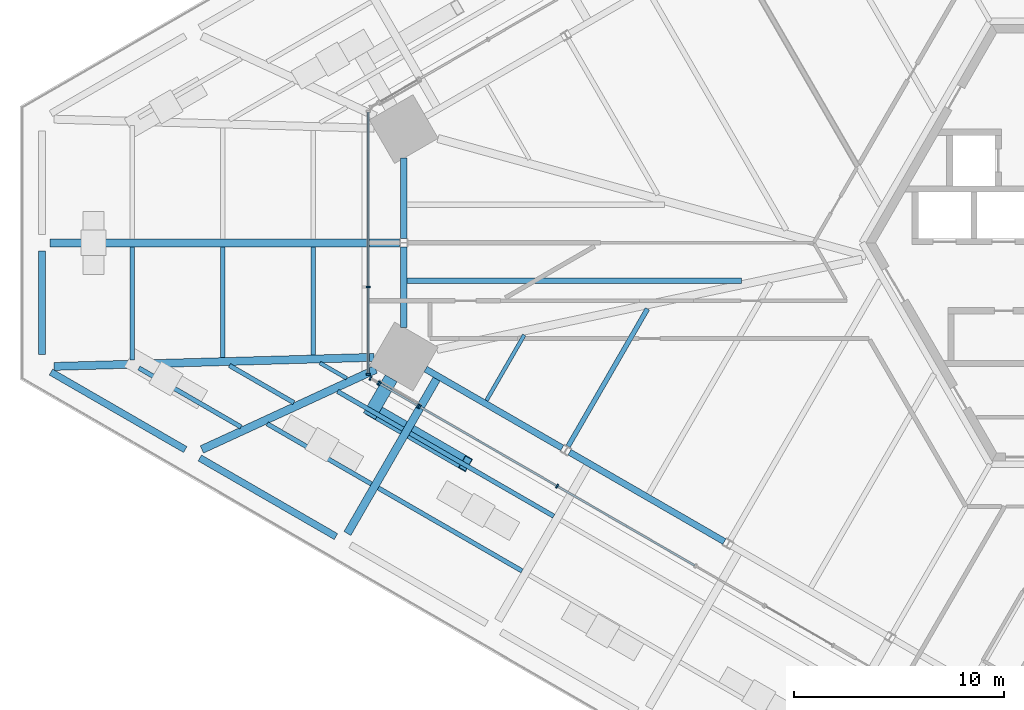
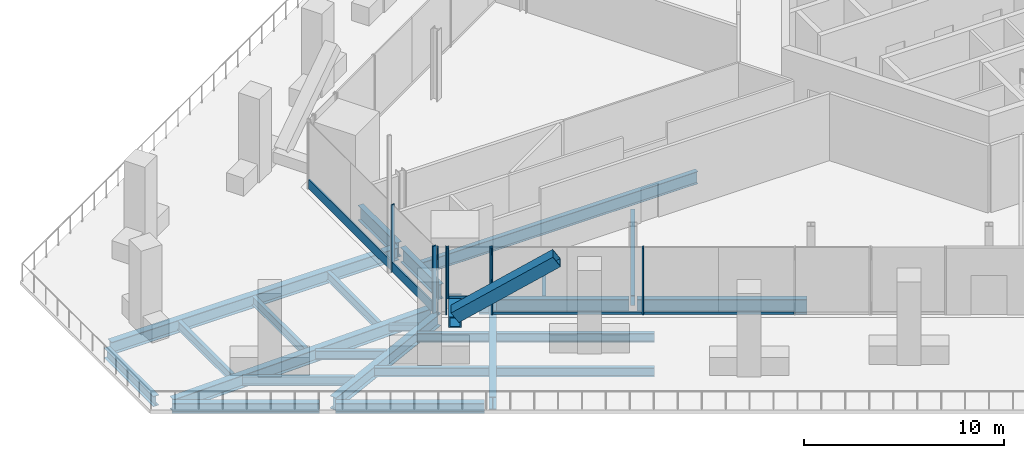
# One storey, part 5 of 38: 24 beams, 15 members, 4 elements without a shape of their own.
"""IFC4 building model written with IfcOpenShell, lengths in metres."""

from ifc_helpers import new_model, si_unit, direction, frame, origin, origin_2d, place, context, subcontext, project, spatial, rectangle, hollow_rectangle, i_section, extrude, source, transform, mapped, material, material_profile, profile_set, type_object, element, aggregate, save


model = new_model("IFC4")

# Units and contexts
model_context = context("Model", 3, precision=1e-05, world=origin(), true_north=direction((0.0, 1.0)))
body_context = subcontext(model_context, "Body", "Model", "MODEL_VIEW")
ifc_project = project(units=[si_unit("LENGTHUNIT", "METRE"), si_unit("AREAUNIT", "SQUARE_METRE"), si_unit("VOLUMEUNIT", "CUBIC_METRE"), si_unit("PLANEANGLEUNIT", "RADIAN"), si_unit("MASSUNIT", "GRAM", prefix="KILO")], contexts=[model_context])

# Site, building, storey
site_placement = place(None, origin())
site = spatial("IfcSite", under=ifc_project, at=site_placement, CompositionType="ELEMENT")
building_placement = place(site_placement, origin())
building = spatial("IfcBuilding", under=site, at=building_placement, Name="Triune Harvest Tower", CompositionType="ELEMENT")
storey_placement = place(building_placement, frame((0.0, 0.0, 16.0)))
storey = spatial("IfcBuildingStorey", under=building, at=storey_placement, Name="L03", CompositionType="ELEMENT", Elevation=16.0)

# Beams
ifc_material_1 = material(Name="Steel ASTM A992 Gr 50", Category="steel")
ifc_material_profile_1 = material_profile(ifc_material_1, i_section(OverallWidth=0.22900390625, OverallDepth=0.612060546875, WebThickness=0.011962890625, FlangeThickness=0.01953125, at=origin_2d()), Name="W24x84")
ifc_profile_set_1 = profile_set([ifc_material_profile_1], Name="Steel ASTM A992 Gr 50")
beam_type_1 = type_object("IfcBeamType", Name="JT-3 Floor joist W24x84", PredefinedType="JOIST", material=ifc_profile_set_1)
shared_shape_1 = source(origin(), body_context, "Body", "SweptSolid", [
    extrude(i_section(OverallWidth=0.22900390625, OverallDepth=0.612060546875, WebThickness=0.011962890625, FlangeThickness=0.01953125, at=origin_2d()), origin(), (0.0, 0.0, 1.0), 7.558349609375),
])
beam_1_placement = place(storey_placement, frame((-26.170654296875, -9.68896484375, -0.506103515625), z_axis=(0.499991809969, 0.866030132249, 0.0), x_axis=(-0.866030132249, 0.499991809969, 0.0)))
element("IfcBeam", 1, at=beam_1_placement, inside=storey, type_object=beam_type_1, Name="beam/L03/JT28", PredefinedType="JOIST", context=body_context, shape_type="MappedRepresentation", body=[
    mapped(shared_shape_1, transform((0.0, 0.0, 0.0), scale=1.0)),
])
ifc_material_2 = material(Name="Steel ASTM A992 Gr 50", Category="steel")
ifc_material_profile_2 = material_profile(ifc_material_2, i_section(OverallWidth=0.32763671875, OverallDepth=0.62744140625, WebThickness=0.0166015625, FlangeThickness=0.027587890625, at=origin_2d()), Name="W24x146")
ifc_profile_set_2 = profile_set([ifc_material_profile_2], Name="Steel ASTM A992 Gr 50")
beam_type_2 = type_object("IfcBeamType", Name="PD-4 Podium edge beam W24x146", PredefinedType="BEAM", material=ifc_profile_set_2)
shared_shape_2 = source(origin(), body_context, "Body", "SweptSolid", [
    extrude(i_section(OverallWidth=0.32763671875, OverallDepth=0.62744140625, WebThickness=0.0166015625, FlangeThickness=0.027587890625, at=origin_2d()), origin(), (0.0, 0.0, 1.0), 7.47998046875),
])
beam_2_placement = place(storey_placement, frame((-43.69384765625, -10.239990234375, -0.513671875), z_axis=(0.866023067432, -0.500004046659, 0.0), x_axis=(0.500004046659, 0.866023067432, 0.0)))
element("IfcBeam", 2, at=beam_2_placement, inside=storey, type_object=beam_type_2, Name="beam/L03/PE27", PredefinedType="BEAM", context=body_context, shape_type="MappedRepresentation", body=[
    mapped(shared_shape_2, transform((0.0, 0.0, 0.0), scale=1.0)),
])
shared_shape_3 = source(origin(), body_context, "Body", "SweptSolid", [
    extrude(i_section(OverallWidth=0.32763671875, OverallDepth=0.62744140625, WebThickness=0.0166015625, FlangeThickness=0.027587890625, at=origin_2d()), origin(), (0.0, 0.0, 1.0), 4.922607421875),
])
beam_3_placement = place(storey_placement, frame((-51.2109375, -0.39990234375, -0.513671875), z_axis=(0.0, -1.0, 0.0), x_axis=(1.0, 0.0, 0.0)))
element("IfcBeam", 3, at=beam_3_placement, inside=storey, type_object=beam_type_2, Name="beam/L03/PE25", PredefinedType="BEAM", context=body_context, shape_type="MappedRepresentation", body=[
    mapped(shared_shape_3, transform((0.0, 0.0, 0.0), scale=1.0)),
])
shared_shape_4 = source(origin(), body_context, "Body", "SweptSolid", [
    extrude(i_section(OverallWidth=0.32763671875, OverallDepth=0.62744140625, WebThickness=0.0166015625, FlangeThickness=0.027587890625, at=origin_2d()), origin(), (0.0, 0.0, 1.0), 7.380126953125),
])
beam_4_placement = place(storey_placement, frame((-50.778076171875, -6.14990234375, -0.513671875), z_axis=(0.866017563931, -0.500013578778, 0.0), x_axis=(0.500013578778, 0.866017563931, 0.0)))
element("IfcBeam", 4, at=beam_4_placement, inside=storey, type_object=beam_type_2, Name="beam/L03/PE26", PredefinedType="BEAM", context=body_context, shape_type="MappedRepresentation", body=[
    mapped(shared_shape_4, transform((0.0, 0.0, 0.0), scale=1.0)),
])
ifc_material_3 = material(Name="Steel ASTM A992 Gr 50", Category="steel")
ifc_material_profile_3 = material_profile(ifc_material_3, i_section(OverallWidth=0.381103515625, OverallDepth=0.772216796875, WebThickness=0.0166015625, FlangeThickness=0.027099609375, at=origin_2d()), Name="W30x173")
ifc_profile_set_3 = profile_set([ifc_material_profile_3], Name="Steel ASTM A992 Gr 50")
beam_type_3 = type_object("IfcBeamType", Name="PD-3 Podium girder W30x173", PredefinedType="BEAM", material=ifc_profile_set_3)
shared_shape_5 = source(origin(), body_context, "Body", "SweptSolid", [
    extrude(i_section(OverallWidth=0.381103515625, OverallDepth=0.772216796875, WebThickness=0.0166015625, FlangeThickness=0.027099609375, at=origin_2d()), origin(), (0.0, 0.0, 1.0), 15.232666015625),
])
beam_5_placement = place(storey_placement, frame((-50.6240234375, -5.88330078125, -0.586181640625), z_axis=(0.999595712635, 0.028432574304, 0.0), x_axis=(-0.028432574304, 0.999595712635, 0.0)))
element("IfcBeam", 5, at=beam_5_placement, inside=storey, type_object=beam_type_3, Name="beam/L03/PR28", PredefinedType="BEAM", context=body_context, shape_type="MappedRepresentation", body=[
    mapped(shared_shape_5, transform((0.0, 0.0, 0.0), scale=1.0)),
])
shared_shape_6 = source(origin(), body_context, "Body", "SweptSolid", [
    extrude(i_section(OverallWidth=0.381103515625, OverallDepth=0.772216796875, WebThickness=0.0166015625, FlangeThickness=0.027099609375, at=origin_2d()), origin(), (0.0, 0.0, 1.0), 9.10693359375),
])
beam_6_placement = place(storey_placement, frame((-43.59521484375, -9.8349609375, -0.586181640625), z_axis=(0.908279245406, 0.418364449213, 0.0), x_axis=(-0.418364449213, 0.908279245406, 0.0)))
element("IfcBeam", 6, at=beam_6_placement, inside=storey, type_object=beam_type_3, Name="beam/L03/PR29", PredefinedType="BEAM", context=body_context, shape_type="MappedRepresentation", body=[
    mapped(shared_shape_6, transform((0.0, 0.0, 0.0), scale=1.0)),
])
shared_shape_7 = source(origin(), body_context, "Body", "SweptSolid", [
    extrude(i_section(OverallWidth=0.381103515625, OverallDepth=0.772216796875, WebThickness=0.0166015625, FlangeThickness=0.027099609375, at=origin_2d()), origin(), (0.0, 0.0, 1.0), 16.619140625),
])
beam_7_placement = place(storey_placement, frame((-50.81103515625, 0.0, -0.586181640625), z_axis=(1.0, 0.0, 0.0), x_axis=(0.0, 1.0, 0.0)))
element("IfcBeam", 7, at=beam_7_placement, inside=storey, type_object=beam_type_3, Name="beam/L03/PR27", PredefinedType="BEAM", context=body_context, shape_type="MappedRepresentation", body=[
    mapped(shared_shape_7, transform((0.0, 0.0, 0.0), scale=1.0)),
])
ifc_material_4 = material(Name="Steel ASTM A992 Gr 50", Category="steel")
ifc_material_profile_4 = material_profile(ifc_material_4, i_section(OverallWidth=0.2138671875, OverallDepth=0.548583984375, WebThickness=0.0146484375, FlangeThickness=0.023681640625, at=origin_2d()), Name="W21x93")
ifc_profile_set_4 = profile_set([ifc_material_profile_4], Name="Steel ASTM A992 Gr 50")
beam_type_4 = type_object("IfcBeamType", Name="PD-5 Podium joist W21x93", PredefinedType="JOIST", material=ifc_profile_set_4)
shared_shape_8 = source(origin(), body_context, "Body", "SweptSolid", [
    extrude(i_section(OverallWidth=0.2138671875, OverallDepth=0.548583984375, WebThickness=0.0146484375, FlangeThickness=0.023681640625, at=origin_2d()), origin(), (0.0, 0.0, 1.0), 5.613525390625),
])
beam_8_placement = place(storey_placement, frame((-46.5908203125, -5.958984375, -0.474365234375), z_axis=(0.866010310244, -0.500026141868, 0.0), x_axis=(0.500026141868, 0.866010310244, 0.0)))
element("IfcBeam", 8, at=beam_8_placement, inside=storey, type_object=beam_type_4, Name="beam/L03/PJ56", PredefinedType="JOIST", context=body_context, shape_type="MappedRepresentation", body=[
    mapped(shared_shape_8, transform((0.0, 0.0, 0.0), scale=1.0)),
])
shared_shape_9 = source(origin(), body_context, "Body", "SweptSolid", [
    extrude(i_section(OverallWidth=0.2138671875, OverallDepth=0.548583984375, WebThickness=0.0146484375, FlangeThickness=0.023681640625, at=origin_2d()), origin(), (0.0, 0.0, 1.0), 3.59619140625),
])
beam_9_placement = place(storey_placement, frame((-37.13720703125, -7.070068359375, -0.474365234375), z_axis=(0.866032969717, -0.499986895192, 0.0), x_axis=(0.499986895192, 0.866032969717, 0.0)))
element("IfcBeam", 9, at=beam_9_placement, inside=storey, type_object=beam_type_4, Name="beam/L03/PJ60", PredefinedType="JOIST", context=body_context, shape_type="MappedRepresentation", body=[
    mapped(shared_shape_9, transform((0.0, 0.0, 0.0), scale=1.0)),
])
shared_shape_10 = source(origin(), body_context, "Body", "SweptSolid", [
    extrude(i_section(OverallWidth=0.2138671875, OverallDepth=0.548583984375, WebThickness=0.0146484375, FlangeThickness=0.023681640625, at=origin_2d()), origin(), (0.0, 0.0, 1.0), 7.899169921875),
])
for number, where, z_axis, x_axis, name in (
    (10, (-35.19873046875, -11.6669921875, -0.474365234375), (0.866030148722, -0.499991781437, 0.0), (0.499991781437, 0.866030148722, 0.0), "beam/L03/PJ61"),
    (11, (-33.69287109375, -9.05859375, -0.474365234375), (0.866030148722, -0.499991781437, 0.0), (0.499991781437, 0.866030148722, 0.0), "beam/L03/PJ62"),
):
    element("IfcBeam", number, at=place(storey_placement, frame(where, z_axis=z_axis, x_axis=x_axis)), inside=storey, type_object=beam_type_4, Name=name, PredefinedType="JOIST", context=body_context, shape_type="MappedRepresentation", body=[
        mapped(shared_shape_10, transform((0.0, 0.0, 0.0), scale=1.0)),
    ])
shared_shape_11 = source(origin(), body_context, "Body", "SweptSolid", [
    extrude(i_section(OverallWidth=0.2138671875, OverallDepth=0.548583984375, WebThickness=0.0146484375, FlangeThickness=0.023681640625, at=origin_2d()), origin(), (0.0, 0.0, 1.0), 5.27392578125),
])
beam_10_placement = place(storey_placement, frame((-42.599853515625, -0.1904296875, -0.474365234375), z_axis=(0.0, -1.0, 0.0), x_axis=(1.0, 0.0, 0.0)))
element("IfcBeam", 12, at=beam_10_placement, inside=storey, type_object=beam_type_4, Name="beam/L03/PJ54", PredefinedType="JOIST", context=body_context, shape_type="MappedRepresentation", body=[
    mapped(shared_shape_11, transform((0.0, 0.0, 0.0), scale=1.0)),
])
shared_shape_12 = source(origin(), body_context, "Body", "SweptSolid", [
    extrude(i_section(OverallWidth=0.2138671875, OverallDepth=0.548583984375, WebThickness=0.0146484375, FlangeThickness=0.023681640625, at=origin_2d()), origin(), (0.0, 0.0, 1.0), 5.1513671875),
])
beam_11_placement = place(storey_placement, frame((-38.294189453125, -0.1904296875, -0.474365234375), z_axis=(0.0, -1.0, 0.0), x_axis=(1.0, 0.0, 0.0)))
element("IfcBeam", 13, at=beam_11_placement, inside=storey, type_object=beam_type_4, Name="beam/L03/PJ55", PredefinedType="JOIST", context=body_context, shape_type="MappedRepresentation", body=[
    mapped(shared_shape_12, transform((0.0, 0.0, 0.0), scale=1.0)),
])
shared_shape_13 = source(origin(), body_context, "Body", "SweptSolid", [
    extrude(i_section(OverallWidth=0.2138671875, OverallDepth=0.548583984375, WebThickness=0.0146484375, FlangeThickness=0.023681640625, at=origin_2d()), origin(), (0.0, 0.0, 1.0), 3.54345703125),
])
beam_12_placement = place(storey_placement, frame((-42.28515625, -5.836669921875, -0.474365234375), z_axis=(0.866016916595, -0.500014699955, 0.0), x_axis=(0.500014699955, 0.866016916595, 0.0)))
element("IfcBeam", 14, at=beam_12_placement, inside=storey, type_object=beam_type_4, Name="beam/L03/PJ57", PredefinedType="JOIST", context=body_context, shape_type="MappedRepresentation", body=[
    mapped(shared_shape_13, transform((0.0, 0.0, 0.0), scale=1.0)),
])
shared_shape_14 = source(origin(), body_context, "Body", "SweptSolid", [
    extrude(i_section(OverallWidth=0.2138671875, OverallDepth=0.548583984375, WebThickness=0.0146484375, FlangeThickness=0.023681640625, at=origin_2d()), origin(), (0.0, 0.0, 1.0), 5.726318359375),
])
beam_13_placement = place(storey_placement, frame((-40.48779296875, -8.61328125, -0.474365234375), z_axis=(0.866038622153, -0.499977104415, 0.0), x_axis=(0.499977104415, 0.866038622153, 0.0)))
element("IfcBeam", 15, at=beam_13_placement, inside=storey, type_object=beam_type_4, Name="beam/L03/PJ59", PredefinedType="JOIST", context=body_context, shape_type="MappedRepresentation", body=[
    mapped(shared_shape_14, transform((0.0, 0.0, 0.0), scale=1.0)),
])
ifc_material_5 = material(Name="Steel ASTM A992 Gr 50", Category="steel")
ifc_material_profile_5 = material_profile(ifc_material_5, i_section(OverallWidth=0.180908203125, OverallDepth=0.41650390625, WebThickness=0.010986328125, FlangeThickness=0.01806640625, at=origin_2d()), Name="W16x57")
ifc_profile_set_5 = profile_set([ifc_material_profile_5], Name="Steel ASTM A992 Gr 50")
beam_type_5 = type_object("IfcBeamType", Name="PD-6 Podium short joist W16x57", PredefinedType="JOIST", material=ifc_profile_set_5)
shared_shape_15 = source(origin(), body_context, "Body", "SweptSolid", [
    extrude(i_section(OverallWidth=0.180908203125, OverallDepth=0.41650390625, WebThickness=0.010986328125, FlangeThickness=0.01806640625, at=origin_2d()), origin(), (0.0, 0.0, 1.0), 1.47314453125),
])
beam_14_placement = place(storey_placement, frame((-37.9794921875, -5.714111328125, -0.408203125), z_axis=(0.86604208752, -0.499971101808, 0.0), x_axis=(0.499971101808, 0.86604208752, 0.0)))
element("IfcBeam", 16, at=beam_14_placement, inside=storey, type_object=beam_type_5, Name="beam/L03/PJ58", PredefinedType="JOIST", context=body_context, shape_type="MappedRepresentation", body=[
    mapped(shared_shape_15, transform((0.0, 0.0, 0.0), scale=1.0)),
])
shared_shape_16 = source(origin(), body_context, "Body", "SweptSolid", [
    extrude(i_section(OverallWidth=0.2138671875, OverallDepth=0.548583984375, WebThickness=0.0146484375, FlangeThickness=0.023681640625, at=origin_2d()), origin(), (0.0, 0.0, 1.0), 5.396484375),
])
beam_15_placement = place(storey_placement, frame((-46.905517578125, -0.1904296875, -0.474365234375), z_axis=(0.0, -1.0, 0.0), x_axis=(1.0, 0.0, 0.0)))
element("IfcBeam", 17, at=beam_15_placement, inside=storey, type_object=beam_type_4, Name="beam/L03/PJ53", PredefinedType="JOIST", context=body_context, shape_type="MappedRepresentation", body=[
    mapped(shared_shape_16, transform((0.0, 0.0, 0.0), scale=1.0)),
])
ifc_material_6 = material(Name="Steel ASTM A992 Gr 50", Category="steel")
ifc_material_profile_6 = material_profile(ifc_material_6, i_section(OverallWidth=0.3046875, OverallDepth=0.914306640625, WebThickness=0.0166015625, FlangeThickness=0.02587890625, at=origin_2d()), Name="W36x160")
ifc_profile_set_6 = profile_set([ifc_material_profile_6], Name="Steel ASTM A992 Gr 50")
beam_type_6 = type_object("IfcBeamType", Name="SB-1 Spandrel beam W36x160", PredefinedType="SPANDREL", material=ifc_profile_set_6)
shared_shape_17 = source(origin(), body_context, "Body", "SweptSolid", [
    extrude(i_section(OverallWidth=0.3046875, OverallDepth=0.914306640625, WebThickness=0.0166015625, FlangeThickness=0.02587890625, at=origin_2d()), origin(), (0.0, 0.0, 1.0), 7.508056640625),
])
beam_16_placement = place(storey_placement, frame((-32.949462890625, -6.010009765625, -0.6572265625), z_axis=(0.866033425553, -0.499986105632, 0.0), x_axis=(0.499986105632, 0.866033425553, 0.0)))
element("IfcBeam", 18, at=beam_16_placement, inside=storey, type_object=beam_type_6, Name="beam/L03/SB17", PredefinedType="SPANDREL", context=body_context, shape_type="MappedRepresentation", body=[
    mapped(shared_shape_17, transform((0.0, 0.0, 0.0), scale=1.0)),
])
shared_shape_18 = source(origin(), body_context, "Body", "SweptSolid", [
    extrude(i_section(OverallWidth=0.3046875, OverallDepth=0.914306640625, WebThickness=0.0166015625, FlangeThickness=0.02587890625, at=origin_2d()), origin(), (0.0, 0.0, 1.0), 8.506103515625),
])
beam_17_placement = place(storey_placement, frame((-26.097412109375, -9.966064453125, -0.6572265625), z_axis=(0.866030246746, -0.49999161165, 0.0), x_axis=(0.49999161165, 0.866030246746, 0.0)))
element("IfcBeam", 19, at=beam_17_placement, inside=storey, type_object=beam_type_6, Name="beam/L03/SB18", PredefinedType="SPANDREL", context=body_context, shape_type="MappedRepresentation", body=[
    mapped(shared_shape_18, transform((0.0, 0.0, 0.0), scale=1.0)),
])
shared_shape_19 = source(origin(), body_context, "Body", "SweptSolid", [
    extrude(i_section(OverallWidth=0.3046875, OverallDepth=0.914306640625, WebThickness=0.0166015625, FlangeThickness=0.02587890625, at=origin_2d()), origin(), (0.0, 0.0, 1.0), 3.822509765625),
])
for number, where, z_axis, x_axis, name in (
    (20, (-33.988525390625, 4.0244140625, -0.6572265625), (0.0, -1.0, 0.0), (1.0, 0.0, 0.0), "beam/L03/SB15"),
    (21, (-33.988525390625, -0.201904296875, -0.6572265625), (0.0, -1.0, 0.0), (1.0, 0.0, 0.0), "beam/L03/SB16"),
):
    element("IfcBeam", number, at=place(storey_placement, frame(where, z_axis=z_axis, x_axis=x_axis)), inside=storey, type_object=beam_type_6, Name=name, PredefinedType="SPANDREL", context=body_context, shape_type="MappedRepresentation", body=[
        mapped(shared_shape_19, transform((0.0, 0.0, 0.0), scale=1.0)),
    ])
ifc_material_7 = material(Name="Steel ASTM A992 Gr 50", Category="steel")
ifc_material_profile_7 = material_profile(ifc_material_7, i_section(OverallWidth=0.2666015625, OverallDepth=0.7568359375, WebThickness=0.013916015625, FlangeThickness=0.019287109375, at=origin_2d()), Name="W30x108")
ifc_profile_set_7 = profile_set([ifc_material_profile_7], Name="Steel ASTM A992 Gr 50")
beam_type_7 = type_object("IfcBeamType", Name="JT-5 Floor joist W30x108", PredefinedType="JOIST", material=ifc_profile_set_7)
shared_shape_20 = source(origin(), body_context, "Body", "SweptSolid", [
    extrude(i_section(OverallWidth=0.2666015625, OverallDepth=0.7568359375, WebThickness=0.013916015625, FlangeThickness=0.019287109375, at=origin_2d()), origin(), (0.0, 0.0, 1.0), 15.90771484375),
])
beam_18_placement = place(storey_placement, frame((-33.836181640625, -1.80322265625, -0.57861328125), z_axis=(1.0, 0.0, 0.0), x_axis=(0.0, 1.0, 0.0)))
element("IfcBeam", 22, at=beam_18_placement, inside=storey, type_object=beam_type_7, Name="beam/L03/JT26", PredefinedType="JOIST", context=body_context, shape_type="MappedRepresentation", body=[
    mapped(shared_shape_20, transform((0.0, 0.0, 0.0), scale=1.0)),
])
ifc_material_8 = material(Name="Steel ASTM A992 Gr 50", Category="steel")
ifc_material_profile_8 = material_profile(ifc_material_8, i_section(OverallWidth=0.180908203125, OverallDepth=0.41650390625, WebThickness=0.010986328125, FlangeThickness=0.01806640625, at=origin_2d()), Name="W16x57")
ifc_profile_set_8 = profile_set([ifc_material_profile_8], Name="Steel ASTM A992 Gr 50")
beam_type_8 = type_object("IfcBeamType", Name="JT-1 Floor joist W16x57", PredefinedType="JOIST", material=ifc_profile_set_8)
shared_shape_21 = source(origin(), body_context, "Body", "SweptSolid", [
    extrude(i_section(OverallWidth=0.180908203125, OverallDepth=0.41650390625, WebThickness=0.010986328125, FlangeThickness=0.01806640625, at=origin_2d()), origin(), (0.0, 0.0, 1.0), 3.599609375),
])
beam_19_placement = place(storey_placement, frame((-30.05419921875, -7.505615234375, -0.408203125), z_axis=(0.499990559667, 0.866030854095, 0.0), x_axis=(-0.866030854095, 0.499990559667, 0.0)))
element("IfcBeam", 23, at=beam_19_placement, inside=storey, type_object=beam_type_8, Name="beam/L03/JT27", PredefinedType="JOIST", context=body_context, shape_type="MappedRepresentation", body=[
    mapped(shared_shape_21, transform((0.0, 0.0, 0.0), scale=1.0)),
])
shared_shape_22 = source(origin(), body_context, "Body", "SweptSolid", [
    extrude(i_section(OverallWidth=0.381103515625, OverallDepth=0.772216796875, WebThickness=0.0166015625, FlangeThickness=0.027099609375, at=origin_2d()), origin(), (0.0, 0.0, 1.0), 8.483154296875),
])
beam_20_placement = place(storey_placement, frame((-36.669677734375, -13.83349609375, -0.586181640625), z_axis=(0.50002057131, 0.866013526608, 0.0), x_axis=(-0.866013526608, 0.50002057131, 0.0)))
element("IfcBeam", 24, at=beam_20_placement, inside=storey, type_object=beam_type_3, Name="beam/L03/PR30", PredefinedType="BEAM", context=body_context, shape_type="MappedRepresentation", body=[
    mapped(shared_shape_22, transform((0.0, 0.0, 0.0), scale=1.0)),
])

# Members
ifc_material_9 = material(Name="Steel ASTM A572 Gr 50", Category="steel")
ifc_material_profile_9 = material_profile(ifc_material_9, hollow_rectangle(XDim=0.64990234375, YDim=0.64990234375, WallThickness=0.070068359375, at=origin_2d()), Name="Box 650x650x70")
ifc_profile_set_9 = profile_set([ifc_material_profile_9], Name="Steel ASTM A572 Gr 50")
member_type_1 = type_object("IfcMemberType", Name="BS-1 Brace stub Box 650x650x70", PredefinedType="STRUT", material=ifc_profile_set_9)
shared_shape_23 = source(origin(), body_context, "Body", "SweptSolid", [
    extrude(hollow_rectangle(XDim=0.64990234375, YDim=0.64990234375, WallThickness=0.070068359375, at=origin_2d()), origin(), (0.0, 0.0, 1.0), 2.07177734375),
])
member_1_placement = place(storey_placement, frame((-34.588623046875, -6.44921875, 0.60009765625), z_axis=(-0.500004672885, -0.866022705876, 0.0), x_axis=(0.866022705876, -0.500004672885, 0.0)))
element("IfcMember", 25, at=member_1_placement, inside=storey, type_object=member_type_1, Name="brace/B1-F5/stub1", PredefinedType="STRUT", context=body_context, shape_type="MappedRepresentation", body=[
    mapped(shared_shape_23, transform((0.0, 0.0, 0.0), scale=1.0)),
])
ifc_material_10 = material(Name="Steel ASTM A572 Gr 50", Category="steel")
ifc_material_profile_10 = material_profile(ifc_material_10, hollow_rectangle(XDim=0.699951171875, YDim=0.699951171875, WallThickness=0.0400390625, at=origin_2d()), Name="Box 700x700x40")
ifc_profile_set_10 = profile_set([ifc_material_profile_10], Name="Steel ASTM A572 Gr 50")
member_type_2 = type_object("IfcMemberType", Name="BR-1 Brace Box 700x700x40", PredefinedType="BRACE", material=ifc_profile_set_10)
shared_shape_24 = source(origin(), body_context, "Body", "SweptSolid", [
    extrude(hollow_rectangle(XDim=0.699951171875, YDim=0.699951171875, WallThickness=0.0400390625, at=origin_2d()), origin(), (0.0, 0.0, 1.0), 6.12890625),
])
member_2_placement = place(storey_placement, frame((-35.459716796875, -7.957763671875, 0.889892578125), z_axis=(0.719593116194, -0.415463946964, 0.556395053806), x_axis=(0.500006018292, 0.866021929094, 0.0)))
element("IfcMember", 26, at=member_2_placement, inside=storey, type_object=member_type_2, Name="brace/B1-F5/d1/1", PredefinedType="BRACE", context=body_context, shape_type="MappedRepresentation", body=[
    mapped(shared_shape_24, transform((0.0, 0.0, 0.0), scale=1.0)),
])

# Curtain wall, members
ifc_material_11 = material(Name="Aluminium bronze anodised", Category="aluminium")
curtain_wall_type_1 = type_object("IfcCurtainWallType", Name="CW-10 Balcony window wall with insulated spandrel infill", PredefinedType="NOTDEFINED", material=ifc_material_11)
curtain_wall_1_placement = place(storey_placement, origin())
curtain_wall_1 = element("IfcCurtainWall", 27, at=curtain_wall_1_placement, inside=storey, type_object=curtain_wall_type_1, Name="CW-10 B1-F5 L03 run 101")
ifc_material_12 = material(Name="Aluminium bronze anodised", Category="aluminium")
ifc_material_profile_11 = material_profile(ifc_material_12, rectangle(XDim=0.199951171875, YDim=0.074951171875, at=origin_2d()), Name="MU-6 mullion 75 x 200")
ifc_profile_set_11 = profile_set([ifc_material_profile_11], Name="Aluminium bronze anodised")
member_type_3 = type_object("IfcMemberType", Name="MU-6 mullion 75 x 200", PredefinedType="MULLION", material=ifc_profile_set_11)
shared_shape_25 = source(origin(), body_context, "Body", "SweptSolid", [
    extrude(rectangle(XDim=0.199951171875, YDim=0.074951171875, at=origin_2d()), origin(), (0.0, 0.0, 1.0), 3.114990234375),
])
member_3_placement = place(storey_placement, frame((-35.135498046875, -6.701416015625, 0.985107421875), z_axis=(0.0, 0.0, 1.0), x_axis=(0.500001212781, 0.866024703584, 0.0)))
member_3 = element("IfcMember", 28, at=member_3_placement, type_object=member_type_3, Name="CW-10 mullion B1-F5 101.1", PredefinedType="MULLION", context=body_context, shape_type="MappedRepresentation", body=[
    mapped(shared_shape_25, transform((0.0, 0.0, 0.0), scale=1.0)),
])
member_4_placement = place(storey_placement, frame((-33.300048828125, -7.76123046875, 0.985107421875), z_axis=(0.0, 0.0, 1.0), x_axis=(0.500001212781, 0.866024703584, 0.0)))
member_4 = element("IfcMember", 29, at=member_4_placement, type_object=member_type_3, Name="CW-10 mullion B1-F5 101.2", PredefinedType="MULLION", context=body_context, shape_type="MappedRepresentation", body=[
    mapped(shared_shape_25, transform((0.0, 0.0, 0.0), scale=1.0)),
])

ifc_material_13 = material(Name="Aluminium bronze anodised", Category="aluminium")
curtain_wall_type_2 = type_object("IfcCurtainWallType", Name="CW-6 Balcony window wall", PredefinedType="NOTDEFINED", material=ifc_material_13)
curtain_wall_2_placement = place(storey_placement, origin())
curtain_wall_2 = element("IfcCurtainWall", 30, at=curtain_wall_2_placement, inside=storey, type_object=curtain_wall_type_2, Name="CW-6 B1-F5 L03 run 1")
shared_shape_26 = source(origin(), body_context, "Body", "SweptSolid", [
    extrude(rectangle(XDim=0.199951171875, YDim=0.074951171875, at=origin_2d()), origin(), (0.0, 0.0, 1.0), 4.10009765625),
])
member_5_placement = place(storey_placement, frame((-35.570068359375, -6.450439453125, 0.0), z_axis=(0.0, 0.0, 1.0), x_axis=(0.499975448906, 0.866039577901, 0.0)))
member_5 = element("IfcMember", 31, at=member_5_placement, type_object=member_type_3, Name="CW-6 mullion B1-F5 1.1", PredefinedType="MULLION", context=body_context, shape_type="MappedRepresentation", body=[
    mapped(shared_shape_26, transform((0.0, 0.0, 0.0), scale=1.0)),
])
member_6_placement = place(storey_placement, frame((-35.200439453125, -6.6640625, 0.0), z_axis=(0.0, 0.0, 1.0), x_axis=(0.499975448906, 0.866039577901, 0.0)))
member_6 = element("IfcMember", 32, at=member_6_placement, type_object=member_type_3, Name="CW-6 mullion B1-F5 1.2", PredefinedType="MULLION", context=body_context, shape_type="MappedRepresentation", body=[
    mapped(shared_shape_26, transform((0.0, 0.0, 0.0), scale=1.0)),
])
aggregate(curtain_wall_2, [member_5, member_6])

curtain_wall_3_placement = place(storey_placement, origin())
curtain_wall_3 = element("IfcCurtainWall", 33, at=curtain_wall_3_placement, inside=storey, type_object=curtain_wall_type_1, Name="CW-10 B1-F5 L03 run 201")
member_7_placement = place(storey_placement, frame((-33.235107421875, -7.798583984375, 0.0), z_axis=(0.0, 0.0, 1.0), x_axis=(0.500003685711, 0.866023275828, 0.0)))
member_7 = element("IfcMember", 34, at=member_7_placement, type_object=member_type_3, Name="CW-10 mullion B1-F5 201.1", PredefinedType="MULLION", context=body_context, shape_type="MappedRepresentation", body=[
    mapped(shared_shape_26, transform((0.0, 0.0, 0.0), scale=1.0)),
])
member_8_placement = place(storey_placement, frame((-26.68896484375, -11.578125, 0.0), z_axis=(0.0, 0.0, 1.0), x_axis=(0.500003685711, 0.866023275828, 0.0)))
member_8 = element("IfcMember", 35, at=member_8_placement, type_object=member_type_3, Name="CW-10 mullion B1-F5 201.3", PredefinedType="MULLION", context=body_context, shape_type="MappedRepresentation", body=[
    mapped(shared_shape_26, transform((0.0, 0.0, 0.0), scale=1.0)),
])
ifc_material_14 = material(Name="Aluminium bronze anodised", Category="aluminium")
ifc_material_profile_12 = material_profile(ifc_material_14, rectangle(XDim=0.090087890625, YDim=0.14990234375, at=origin_2d()), Name="TR-6 transom 90 x 150")
ifc_profile_set_12 = profile_set([ifc_material_profile_12], Name="Aluminium bronze anodised")
member_type_4 = type_object("IfcMemberType", Name="TR-6 transom 90 x 150", PredefinedType="USERDEFINED", material=ifc_profile_set_12)
shared_shape_27 = source(origin(), body_context, "Body", "SweptSolid", [
    extrude(rectangle(XDim=0.090087890625, YDim=0.14990234375, at=origin_2d()), origin(), (0.0, 0.0, 1.0), 7.48388671875),
])
member_9_placement = place(storey_placement, frame((-33.20263671875, -7.8173828125, 0.074951171875), z_axis=(0.866024239756, -0.50000201615, 0.0), x_axis=(0.50000201615, 0.866024239756, 0.0)))
member_9 = element("IfcMember", 36, at=member_9_placement, type_object=member_type_4, Name="CW-10 transom B1-F5 201.1", ObjectType="TRANSOM", PredefinedType="USERDEFINED", context=body_context, shape_type="MappedRepresentation", body=[
    mapped(shared_shape_27, transform((0.0, 0.0, 0.0), scale=1.0)),
])
shared_shape_28 = source(origin(), body_context, "Body", "SweptSolid", [
    extrude(rectangle(XDim=0.090087890625, YDim=0.14990234375, at=origin_2d()), origin(), (0.0, 0.0, 1.0), 7.521484375),
])
member_10_placement = place(storey_placement, frame((-26.656494140625, -11.596923828125, 0.074951171875), z_axis=(0.866021259968, -0.500007177232, 0.0), x_axis=(0.500007177232, 0.866021259968, 0.0)))
member_10 = element("IfcMember", 37, at=member_10_placement, type_object=member_type_4, Name="CW-10 transom B1-F5 201.2", ObjectType="TRANSOM", PredefinedType="USERDEFINED", context=body_context, shape_type="MappedRepresentation", body=[
    mapped(shared_shape_28, transform((0.0, 0.0, 0.0), scale=1.0)),
])
aggregate(curtain_wall_3, [member_7, member_8, member_9, member_10])

ifc_material_15 = material(Name="Aluminium bronze anodised", Category="aluminium")
curtain_wall_type_3 = type_object("IfcCurtainWallType", Name="CW-3 Farm floor curtain wall", PredefinedType="NOTDEFINED", material=ifc_material_15)
curtain_wall_4_placement = place(storey_placement, origin())
curtain_wall_4 = element("IfcCurtainWall", 38, at=curtain_wall_4_placement, inside=storey, type_object=curtain_wall_type_3, Name="CW-3 B1-F4 L03 run 1")
ifc_material_16 = material(Name="Aluminium bronze anodised", Category="aluminium")
ifc_material_profile_13 = material_profile(ifc_material_16, rectangle(XDim=0.199951171875, YDim=0.080078125, at=origin_2d()), Name="MU-3 mullion 80 x 200")
ifc_profile_set_13 = profile_set([ifc_material_profile_13], Name="Aluminium bronze anodised")
member_type_5 = type_object("IfcMemberType", Name="MU-3 mullion 80 x 200", PredefinedType="MULLION", material=ifc_profile_set_13)
shared_shape_29 = source(origin(), body_context, "Body", "SweptSolid", [
    extrude(rectangle(XDim=0.199951171875, YDim=0.080078125, at=origin_2d()), origin(), (0.0, 0.0, 1.0), 4.10009765625),
])
member_11_placement = place(storey_placement, frame((-35.680419921875, -2.098876953125, 0.0), z_axis=(0.0, 0.0, 1.0), x_axis=(1.0, 0.0, 0.0)))
member_11 = element("IfcMember", 39, at=member_11_placement, type_object=member_type_5, Name="CW-3 mullion B1-F4 1.3", PredefinedType="MULLION", context=body_context, shape_type="MappedRepresentation", body=[
    mapped(shared_shape_29, transform((0.0, 0.0, 0.0), scale=1.0)),
])
member_12_placement = place(storey_placement, frame((-35.680419921875, -6.2568359375, 0.0), z_axis=(0.0, 0.0, 1.0), x_axis=(1.0, 0.0, 0.0)))
member_12 = element("IfcMember", 40, at=member_12_placement, type_object=member_type_5, Name="CW-3 mullion B1-F4 1.4", PredefinedType="MULLION", context=body_context, shape_type="MappedRepresentation", body=[
    mapped(shared_shape_29, transform((0.0, 0.0, 0.0), scale=1.0)),
])
ifc_material_17 = material(Name="Aluminium bronze anodised", Category="aluminium")
ifc_material_profile_14 = material_profile(ifc_material_17, rectangle(XDim=0.090087890625, YDim=0.60009765625, at=origin_2d()), Name="TR-3 transom 90 x 600")
ifc_profile_set_14 = profile_set([ifc_material_profile_14], Name="Aluminium bronze anodised")
member_type_6 = type_object("IfcMemberType", Name="TR-3 transom 90 x 600", PredefinedType="USERDEFINED", material=ifc_profile_set_14)
shared_shape_30 = source(origin(), body_context, "Body", "SweptSolid", [
    extrude(rectangle(XDim=0.090087890625, YDim=0.60009765625, at=origin_2d()), origin(), (0.0, 0.0, 1.0), 4.077880859375),
])
member_13_placement = place(storey_placement, frame((-35.680419921875, -2.138916015625, 0.300048828125), z_axis=(0.0, -1.0, 0.0), x_axis=(1.0, 0.0, 0.0)))
member_13 = element("IfcMember", 41, at=member_13_placement, type_object=member_type_6, Name="CW-3 transom B1-F4 1.2", ObjectType="TRANSOM", PredefinedType="USERDEFINED", context=body_context, shape_type="MappedRepresentation", body=[
    mapped(shared_shape_30, transform((0.0, 0.0, 0.0), scale=1.0)),
])

# Member
shared_shape_31 = source(origin(), body_context, "Body", "SweptSolid", [
    extrude(rectangle(XDim=0.090087890625, YDim=0.14990234375, at=origin_2d()), origin(), (0.0, 0.0, 1.0), 2.04443359375),
])
member_14_placement = place(storey_placement, frame((-35.10302734375, -6.72021484375, 1.06005859375), z_axis=(0.866022515895, -0.500005001938, 0.0), x_axis=(0.500005001938, 0.866022515895, 0.0)))
member_14 = element("IfcMember", 42, at=member_14_placement, type_object=member_type_4, Name="CW-10 transom B1-F5 101.1", ObjectType="TRANSOM", PredefinedType="USERDEFINED", context=body_context, shape_type="MappedRepresentation", body=[
    mapped(shared_shape_31, transform((0.0, 0.0, 0.0), scale=1.0)),
])

aggregate(curtain_wall_1, [member_3, member_4, member_14])

shared_shape_32 = source(origin(), body_context, "Body", "SweptSolid", [
    extrude(rectangle(XDim=0.090087890625, YDim=0.60009765625, at=origin_2d()), origin(), (0.0, 0.0, 1.0), 8.275634765625),
])
member_15_placement = place(storey_placement, frame((-35.680419921875, 6.216796875, 0.300048828125), z_axis=(0.0, -1.0, 0.0), x_axis=(1.0, 0.0, 0.0)))
member_15 = element("IfcMember", 43, at=member_15_placement, type_object=member_type_6, Name="CW-3 transom B1-F4 1.1", ObjectType="TRANSOM", PredefinedType="USERDEFINED", context=body_context, shape_type="MappedRepresentation", body=[
    mapped(shared_shape_32, transform((0.0, 0.0, 0.0), scale=1.0)),
])

aggregate(curtain_wall_4, [member_11, member_12, member_15, member_13])

save(model, "model.ifc")
